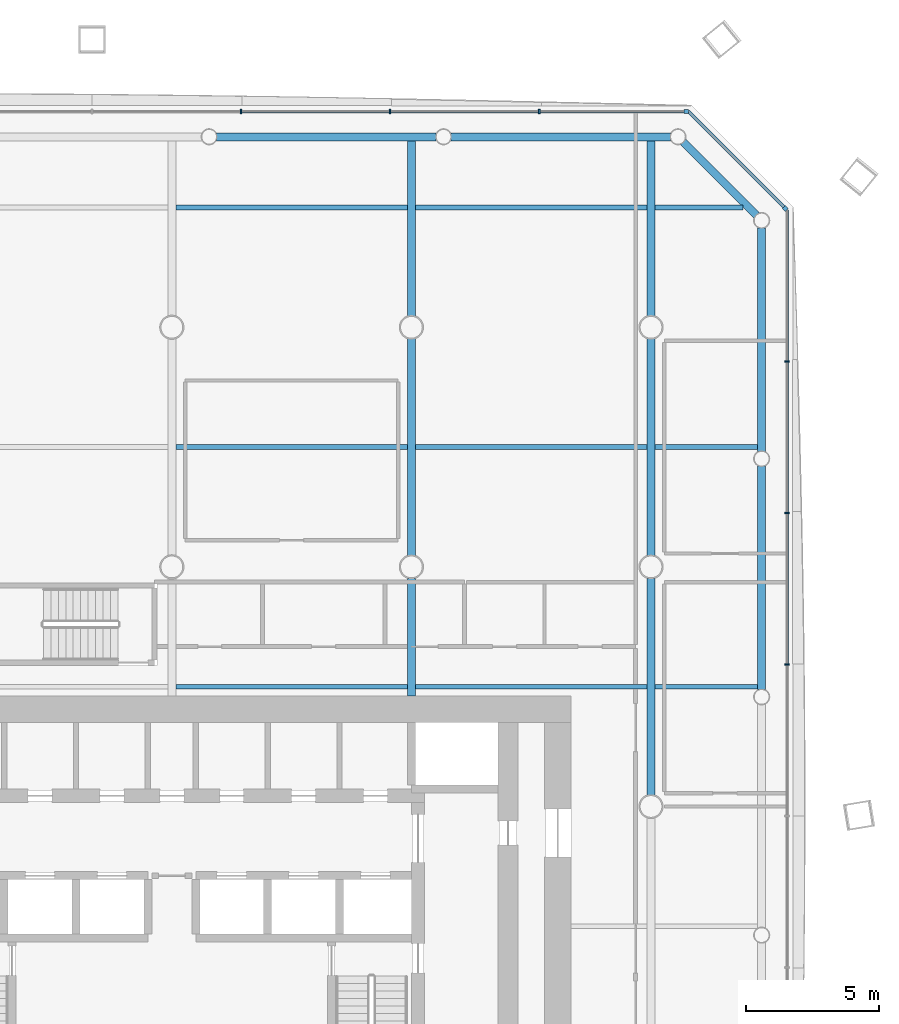
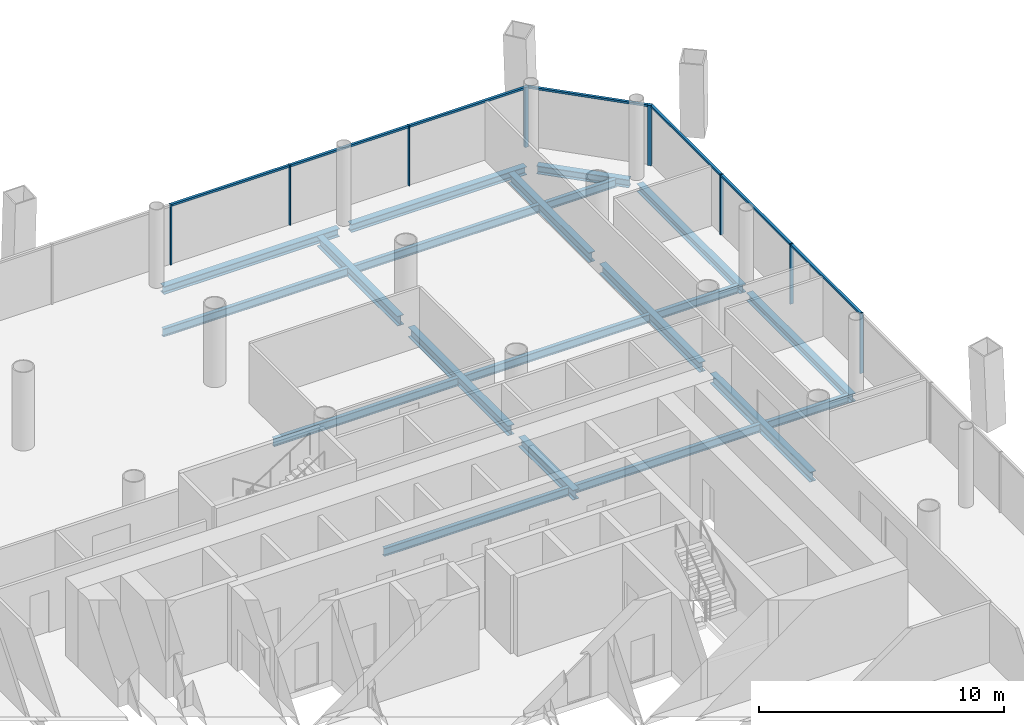
# One storey, part 10 of 20: 20 beams, 15 members, 3 elements without a shape of their own.
"""IFC4 building model written with IfcOpenShell, lengths in metres."""

from ifc_helpers import new_model, si_unit, direction, frame, origin, origin_2d, place, context, subcontext, project, spatial, rectangle, i_section, extrude, material, material_profile, profile_set, type_object, element, aggregate, save


model = new_model("IFC4")

# Units and contexts
model_context = context("Model", 3, precision=1e-05, world=origin(), true_north=direction((0.0, 1.0)))
body_context = subcontext(model_context, "Body", "Model", "MODEL_VIEW")
ifc_project = project(units=[si_unit("LENGTHUNIT", "METRE"), si_unit("AREAUNIT", "SQUARE_METRE"), si_unit("VOLUMEUNIT", "CUBIC_METRE"), si_unit("PLANEANGLEUNIT", "RADIAN"), si_unit("MASSUNIT", "GRAM", prefix="KILO")], contexts=[model_context])

# Site, building, storey
site_placement = place(None, origin())
site = spatial("IfcSite", under=ifc_project, at=site_placement, CompositionType="ELEMENT")
building_placement = place(site_placement, origin())
building = spatial("IfcBuilding", under=site, at=building_placement, Name="Tskaro Facet Tower", CompositionType="ELEMENT")
storey_placement = place(building_placement, frame((0.0, 0.0, 53.699951171875)))
storey = spatial("IfcBuildingStorey", under=building, at=storey_placement, Name="L12", CompositionType="ELEMENT", Elevation=53.699951171875)

# Curtain wall, member
ifc_material_1 = material(Name="Bronze anodised aluminium 6063-T6", Category="aluminium")
curtain_wall_type = type_object("IfcCurtainWallType", Name="Bronze office curtain wall (FW1)", PredefinedType="NOTDEFINED", material=ifc_material_1)
curtain_wall_1_placement = place(storey_placement, origin())
curtain_wall_1 = element("IfcCurtainWall", 1, at=curtain_wall_1_placement, inside=storey, type_object=curtain_wall_type, Name="FW1 north-east facet L12", PredefinedType="NOTDEFINED")
ifc_material_profile_1 = material_profile(ifc_material_1, rectangle(XDim=0.159912109375, YDim=0.159912109375, at=origin_2d()), Name="Corner post 160x160")
ifc_profile_set_1 = profile_set([ifc_material_profile_1], Name="Bronze anodised aluminium 6063-T6")
member_type_1 = type_object("IfcMemberType", Name="FW1 bronze corner post 160x160", PredefinedType="MULLION", material=ifc_profile_set_1)
member_1_placement = place(storey_placement, frame((23.050537109375, 22.461669921875, 0.0), z_axis=(0.0, 0.0, 1.0), x_axis=(-0.707106781187, 0.707106781187, 0.0)))
member_1 = element("IfcMember", 2, at=member_1_placement, type_object=member_type_1, Name="FW1 north-east corner post", PredefinedType="MULLION", context=body_context, shape_type="SweptSolid", body=[
    extrude(rectangle(XDim=0.159912109375, YDim=0.159912109375, at=origin_2d()), origin(), (0.0, 0.0, 1.0), 2.989990234375),
])

curtain_wall_2_placement = place(storey_placement, origin())
curtain_wall_2 = element("IfcCurtainWall", 3, at=curtain_wall_2_placement, inside=storey, type_object=curtain_wall_type, Name="FW1 north facet L12", PredefinedType="NOTDEFINED")
member_2_placement = place(storey_placement, frame((19.324951171875, 26.10693359375, 0.0), z_axis=(0.0, 0.0, 1.0), x_axis=(-1.0, 0.0, 0.0)))
member_2 = element("IfcMember", 4, at=member_2_placement, type_object=member_type_1, Name="FW1 north corner post", PredefinedType="MULLION", context=body_context, shape_type="SweptSolid", body=[
    extrude(rectangle(XDim=0.159912109375, YDim=0.159912109375, at=origin_2d()), origin(), (0.0, 0.0, 1.0), 2.989990234375),
])

# Curtain wall, members
curtain_wall_3_placement = place(storey_placement, origin())
curtain_wall_3 = element("IfcCurtainWall", 5, at=curtain_wall_3_placement, inside=storey, type_object=curtain_wall_type, Name="FW1 east facet L12", PredefinedType="NOTDEFINED")
ifc_material_profile_2 = material_profile(ifc_material_1, rectangle(XDim=0.06005859375, YDim=0.159912109375, at=origin_2d()), Name="Mullion 60x160")
ifc_profile_set_2 = profile_set([ifc_material_profile_2], Name="Bronze anodised aluminium 6063-T6")
member_type_2 = type_object("IfcMemberType", Name="FW1 bronze mullion 60x160", PredefinedType="MULLION", material=ifc_profile_set_2)
member_3_placement = place(storey_placement, frame((23.10693359375, 5.332275390625, 0.0), z_axis=(0.0, 0.0, 1.0), x_axis=(0.0, 1.0, 0.0)))
member_3 = element("IfcMember", 6, at=member_3_placement, type_object=member_type_2, Name="FW1 east mullion 5", PredefinedType="MULLION", context=body_context, shape_type="SweptSolid", body=[
    extrude(rectangle(XDim=0.06005859375, YDim=0.159912109375, at=origin_2d()), origin(), (0.0, 0.0, 1.0), 2.989990234375),
])
member_4_placement = place(storey_placement, frame((23.10693359375, 11.023193359375, 0.0), z_axis=(0.0, 0.0, 1.0), x_axis=(0.0, 1.0, 0.0)))
member_4 = element("IfcMember", 7, at=member_4_placement, type_object=member_type_2, Name="FW1 east mullion 6", PredefinedType="MULLION", context=body_context, shape_type="SweptSolid", body=[
    extrude(rectangle(XDim=0.06005859375, YDim=0.159912109375, at=origin_2d()), origin(), (0.0, 0.0, 1.0), 2.989990234375),
])
member_5_placement = place(storey_placement, frame((23.10693359375, 16.714111328125, 0.0), z_axis=(0.0, 0.0, 1.0), x_axis=(0.0, 1.0, 0.0)))
member_5 = element("IfcMember", 8, at=member_5_placement, type_object=member_type_2, Name="FW1 east mullion 7", PredefinedType="MULLION", context=body_context, shape_type="SweptSolid", body=[
    extrude(rectangle(XDim=0.06005859375, YDim=0.159912109375, at=origin_2d()), origin(), (0.0, 0.0, 1.0), 2.989990234375),
])

# Member
member_6_placement = place(storey_placement, frame((13.8037109375, 26.10693359375, 0.0), z_axis=(0.0, 0.0, 1.0), x_axis=(-1.0, 0.0, 0.0)))
member_6 = element("IfcMember", 9, at=member_6_placement, type_object=member_type_2, Name="FW1 north mullion 1", PredefinedType="MULLION", context=body_context, shape_type="SweptSolid", body=[
    extrude(rectangle(XDim=0.06005859375, YDim=0.159912109375, at=origin_2d()), origin(), (0.0, 0.0, 1.0), 2.989990234375),
])

member_7_placement = place(storey_placement, frame((8.202392578125, 26.10693359375, 0.0), z_axis=(0.0, 0.0, 1.0), x_axis=(-1.0, 0.0, 0.0)))
member_7 = element("IfcMember", 10, at=member_7_placement, type_object=member_type_2, Name="FW1 north mullion 2", PredefinedType="MULLION", context=body_context, shape_type="SweptSolid", body=[
    extrude(rectangle(XDim=0.06005859375, YDim=0.159912109375, at=origin_2d()), origin(), (0.0, 0.0, 1.0), 2.989990234375),
])

member_8_placement = place(storey_placement, frame((2.601318359375, 26.10693359375, 0.0), z_axis=(0.0, 0.0, 1.0), x_axis=(-1.0, 0.0, 0.0)))
member_8 = element("IfcMember", 11, at=member_8_placement, type_object=member_type_2, Name="FW1 north mullion 3", PredefinedType="MULLION", context=body_context, shape_type="SweptSolid", body=[
    extrude(rectangle(XDim=0.06005859375, YDim=0.159912109375, at=origin_2d()), origin(), (0.0, 0.0, 1.0), 2.989990234375),
])

ifc_material_profile_3 = material_profile(ifc_material_1, rectangle(XDim=0.1201171875, YDim=0.10009765625, at=origin_2d()), Name="Transom 120x100")
ifc_profile_set_3 = profile_set([ifc_material_profile_3], Name="Bronze anodised aluminium 6063-T6")
member_type_3 = type_object("IfcMemberType", Name="FW1 bronze transom 120x100", PredefinedType="USERDEFINED", material=ifc_profile_set_3)
member_9_placement = place(storey_placement, frame((23.10693359375, 5.3623046875, 2.93994140625), z_axis=(0.0, 1.0, 0.0), x_axis=(-1.0, 0.0, 0.0)))
member_9 = element("IfcMember", 12, at=member_9_placement, type_object=member_type_3, Name="FW1 east transom 6.1", ObjectType="TRANSOM", PredefinedType="USERDEFINED", context=body_context, shape_type="SweptSolid", body=[
    extrude(rectangle(XDim=0.1201171875, YDim=0.10009765625, at=origin_2d()), origin(), (0.0, 0.0, 1.0), 5.630859375),
])

member_10_placement = place(storey_placement, frame((23.10693359375, 11.05322265625, 2.93994140625), z_axis=(0.0, 1.0, 0.0), x_axis=(-1.0, 0.0, 0.0)))
member_10 = element("IfcMember", 13, at=member_10_placement, type_object=member_type_3, Name="FW1 east transom 7.1", ObjectType="TRANSOM", PredefinedType="USERDEFINED", context=body_context, shape_type="SweptSolid", body=[
    extrude(rectangle(XDim=0.1201171875, YDim=0.10009765625, at=origin_2d()), origin(), (0.0, 0.0, 1.0), 5.630859375),
])

member_11_placement = place(storey_placement, frame((23.10693359375, 16.744140625, 2.93994140625), z_axis=(0.0, 1.0, 0.0), x_axis=(-1.0, 0.0, 0.0)))
member_11 = element("IfcMember", 14, at=member_11_placement, type_object=member_type_3, Name="FW1 east transom 8.1", ObjectType="TRANSOM", PredefinedType="USERDEFINED", context=body_context, shape_type="SweptSolid", body=[
    extrude(rectangle(XDim=0.1201171875, YDim=0.10009765625, at=origin_2d()), origin(), (0.0, 0.0, 1.0), 5.660888671875),
])

aggregate(curtain_wall_3, [member_3, member_4, member_5, member_9, member_10, member_11])

member_12_placement = place(storey_placement, frame((22.993896484375, 22.51806640625, 2.93994140625), z_axis=(-0.707106781187, 0.707106781187, 0.0), x_axis=(-0.707106781187, -0.707106781187, 0.0)))
member_12 = element("IfcMember", 15, at=member_12_placement, type_object=member_type_3, Name="FW1 north-east transom 1.1", ObjectType="TRANSOM", PredefinedType="USERDEFINED", context=body_context, shape_type="SweptSolid", body=[
    extrude(rectangle(XDim=0.1201171875, YDim=0.10009765625, at=origin_2d()), origin(), (0.0, 0.0, 1.0), 5.075439453125),
])

aggregate(curtain_wall_1, [member_1, member_12])

member_13_placement = place(storey_placement, frame((19.2451171875, 26.10693359375, 2.93994140625), z_axis=(-1.0, 0.0, 0.0), x_axis=(0.0, -1.0, 0.0)))
member_13 = element("IfcMember", 16, at=member_13_placement, type_object=member_type_3, Name="FW1 north transom 1.1", ObjectType="TRANSOM", PredefinedType="USERDEFINED", context=body_context, shape_type="SweptSolid", body=[
    extrude(rectangle(XDim=0.1201171875, YDim=0.10009765625, at=origin_2d()), origin(), (0.0, 0.0, 1.0), 5.411376953125),
])

member_14_placement = place(storey_placement, frame((13.773681640625, 26.10693359375, 2.93994140625), z_axis=(-1.0, 0.0, 0.0), x_axis=(0.0, -1.0, 0.0)))
member_14 = element("IfcMember", 17, at=member_14_placement, type_object=member_type_3, Name="FW1 north transom 2.1", ObjectType="TRANSOM", PredefinedType="USERDEFINED", context=body_context, shape_type="SweptSolid", body=[
    extrude(rectangle(XDim=0.1201171875, YDim=0.10009765625, at=origin_2d()), origin(), (0.0, 0.0, 1.0), 5.541259765625),
])

member_15_placement = place(storey_placement, frame((8.172607421875, 26.10693359375, 2.93994140625), z_axis=(-1.0, 0.0, 0.0), x_axis=(0.0, -1.0, 0.0)))
member_15 = element("IfcMember", 18, at=member_15_placement, type_object=member_type_3, Name="FW1 north transom 3.1", ObjectType="TRANSOM", PredefinedType="USERDEFINED", context=body_context, shape_type="SweptSolid", body=[
    extrude(rectangle(XDim=0.1201171875, YDim=0.10009765625, at=origin_2d()), origin(), (0.0, 0.0, 1.0), 5.541259765625),
])

aggregate(curtain_wall_2, [member_2, member_6, member_7, member_8, member_13, member_14, member_15])

# Beams
ifc_material_2 = material(Name="Steel S355J2", Category="steel")
ifc_material_profile_4 = material_profile(ifc_material_2, i_section(OverallWidth=0.300048828125, OverallDepth=0.39990234375, WebThickness=0.013427734375, FlangeThickness=0.02392578125, FilletRadius=0.027099609375, at=origin_2d()), Name="HE 400 B")
ifc_profile_set_4 = profile_set([ifc_material_profile_4], Name="Steel S355J2")
beam_type_1 = type_object("IfcBeamType", Name="HE 400 B ring beam", PredefinedType="BEAM", material=ifc_profile_set_4)
for number, where, z_axis, x_axis, name in (
    (19, (22.156982421875, 4.39111328125, -0.33984375), (0.0, 1.0, 0.0), (-1.0, 0.0, 0.0), "HE 400 B EB11-1"),
    (20, (22.156982421875, 13.339111328125, -0.33984375), (0.0, 1.0, 0.0), (-1.0, 0.0, 0.0), "HE 400 B EB12-1"),
):
    element("IfcBeam", number, at=place(storey_placement, frame(where, z_axis=z_axis, x_axis=x_axis)), inside=storey, type_object=beam_type_1, Name=name, PredefinedType="BEAM", context=body_context, shape_type="SweptSolid", body=[
        extrude(i_section(OverallWidth=0.300048828125, OverallDepth=0.39990234375, WebThickness=0.013427734375, FlangeThickness=0.02392578125, FilletRadius=0.027099609375, at=origin_2d()), origin(), (0.0, 0.0, 1.0), 8.39794921875),
    ])
beam_1_placement = place(storey_placement, frame((21.962646484375, 22.20654296875, -0.33984375), z_axis=(-0.707106781187, 0.707106781187, 0.0), x_axis=(-0.707106781187, -0.707106781187, 0.0)))
element("IfcBeam", 21, at=beam_1_placement, inside=storey, type_object=beam_type_1, Name="HE 400 B EB13-1", PredefinedType="BEAM", context=body_context, shape_type="SweptSolid", body=[
    extrude(i_section(OverallWidth=0.300048828125, OverallDepth=0.39990234375, WebThickness=0.013427734375, FlangeThickness=0.02392578125, FilletRadius=0.027099609375, at=origin_2d()), origin(), (0.0, 0.0, 1.0), 3.897705078125),
])
beam_2_placement = place(storey_placement, frame((18.737060546875, 25.156982421875, -0.33984375), z_axis=(-1.0, 0.0, 0.0), x_axis=(0.0, -1.0, 0.0)))
element("IfcBeam", 22, at=beam_2_placement, inside=storey, type_object=beam_type_1, Name="HE 400 B EB14-1", PredefinedType="BEAM", context=body_context, shape_type="SweptSolid", body=[
    extrude(i_section(OverallWidth=0.300048828125, OverallDepth=0.39990234375, WebThickness=0.013427734375, FlangeThickness=0.02392578125, FilletRadius=0.027099609375, at=origin_2d()), origin(), (0.0, 0.0, 1.0), 8.255126953125),
])
beam_3_placement = place(storey_placement, frame((9.931884765625, 25.156982421875, -0.33984375), z_axis=(-1.0, 0.0, 0.0), x_axis=(0.0, -1.0, 0.0)))
element("IfcBeam", 23, at=beam_3_placement, inside=storey, type_object=beam_type_1, Name="HE 400 B EB15-1", PredefinedType="BEAM", context=body_context, shape_type="SweptSolid", body=[
    extrude(i_section(OverallWidth=0.300048828125, OverallDepth=0.39990234375, WebThickness=0.013427734375, FlangeThickness=0.02392578125, FilletRadius=0.027099609375, at=origin_2d()), origin(), (0.0, 0.0, 1.0), 8.2548828125),
])
ifc_material_profile_5 = material_profile(ifc_material_2, i_section(OverallWidth=0.300048828125, OverallDepth=0.489990234375, WebThickness=0.011962890625, FlangeThickness=0.02294921875, FilletRadius=0.027099609375, at=origin_2d()), Name="HE 500 A")
ifc_profile_set_5 = profile_set([ifc_material_profile_5], Name="Steel S355J2")
beam_type_2 = type_object("IfcBeamType", Name="HE 500 A girder", PredefinedType="BEAM", material=ifc_profile_set_5)
beam_4_placement = place(storey_placement, frame((9.0, 4.14990234375, -0.385009765625), z_axis=(0.0, 1.0, 0.0), x_axis=(-1.0, 0.0, 0.0)))
element("IfcBeam", 24, at=beam_4_placement, inside=storey, type_object=beam_type_2, Name="HE 500 A GB5-3-1", PredefinedType="BEAM", context=body_context, shape_type="SweptSolid", body=[
    extrude(i_section(OverallWidth=0.300048828125, OverallDepth=0.489990234375, WebThickness=0.011962890625, FlangeThickness=0.02294921875, FilletRadius=0.027099609375, at=origin_2d()), origin(), (0.0, 0.0, 1.0), 4.4228515625),
])
beam_5_placement = place(storey_placement, frame((9.0, 9.42724609375, -0.385009765625), z_axis=(0.0, 1.0, 0.0), x_axis=(-1.0, 0.0, 0.0)))
element("IfcBeam", 25, at=beam_5_placement, inside=storey, type_object=beam_type_2, Name="HE 500 A GB5-4-1", PredefinedType="BEAM", context=body_context, shape_type="SweptSolid", body=[
    extrude(i_section(OverallWidth=0.300048828125, OverallDepth=0.489990234375, WebThickness=0.011962890625, FlangeThickness=0.02294921875, FilletRadius=0.027099609375, at=origin_2d()), origin(), (0.0, 0.0, 1.0), 8.1455078125),
])
beam_6_placement = place(storey_placement, frame((9.0, 18.42724609375, -0.385009765625), z_axis=(0.0, 1.0, 0.0), x_axis=(-1.0, 0.0, 0.0)))
element("IfcBeam", 26, at=beam_6_placement, inside=storey, type_object=beam_type_2, Name="HE 500 A GB5-5-1", PredefinedType="BEAM", context=body_context, shape_type="SweptSolid", body=[
    extrude(i_section(OverallWidth=0.300048828125, OverallDepth=0.489990234375, WebThickness=0.011962890625, FlangeThickness=0.02294921875, FilletRadius=0.027099609375, at=origin_2d()), origin(), (0.0, 0.0, 1.0), 6.579833984375),
])
for number, where, z_axis, x_axis, name in (
    (27, (18.0, 0.42724609375, -0.385009765625), (0.0, 1.0, 0.0), (-1.0, 0.0, 0.0), "HE 500 A GB6-4-1"),
    (28, (18.0, 9.42724609375, -0.385009765625), (0.0, 1.0, 0.0), (-1.0, 0.0, 0.0), "HE 500 A GB6-5-1"),
):
    element("IfcBeam", number, at=place(storey_placement, frame(where, z_axis=z_axis, x_axis=x_axis)), inside=storey, type_object=beam_type_2, Name=name, PredefinedType="BEAM", context=body_context, shape_type="SweptSolid", body=[
        extrude(i_section(OverallWidth=0.300048828125, OverallDepth=0.489990234375, WebThickness=0.011962890625, FlangeThickness=0.02294921875, FilletRadius=0.027099609375, at=origin_2d()), origin(), (0.0, 0.0, 1.0), 8.1455078125),
    ])
beam_7_placement = place(storey_placement, frame((18.0, 18.42724609375, -0.385009765625), z_axis=(0.0, 1.0, 0.0), x_axis=(-1.0, 0.0, 0.0)))
element("IfcBeam", 29, at=beam_7_placement, inside=storey, type_object=beam_type_2, Name="HE 500 A GB6-6-1", PredefinedType="BEAM", context=body_context, shape_type="SweptSolid", body=[
    extrude(i_section(OverallWidth=0.300048828125, OverallDepth=0.489990234375, WebThickness=0.011962890625, FlangeThickness=0.02294921875, FilletRadius=0.027099609375, at=origin_2d()), origin(), (0.0, 0.0, 1.0), 6.579833984375),
])
ifc_material_profile_6 = material_profile(ifc_material_2, i_section(OverallWidth=0.179931640625, OverallDepth=0.39990234375, WebThickness=0.008544921875, FlangeThickness=0.013427734375, FilletRadius=0.02099609375, at=origin_2d()), Name="IPE 400")
ifc_profile_set_6 = profile_set([ifc_material_profile_6], Name="Steel S355J2")
beam_type_3 = type_object("IfcBeamType", Name="IPE 400 secondary beam", PredefinedType="BEAM", material=ifc_profile_set_6)
for number, where, z_axis, x_axis, name in (
    (30, (0.14990234375, 4.5, -0.33984375), (1.0, 0.0, 0.0), (0.0, 1.0, 0.0), "IPE 400 SB4a-4-1"),
    (31, (9.14990234375, 4.5, -0.33984375), (1.0, 0.0, 0.0), (0.0, 1.0, 0.0), "IPE 400 SB4a-5-1"),
):
    element("IfcBeam", number, at=place(storey_placement, frame(where, z_axis=z_axis, x_axis=x_axis)), inside=storey, type_object=beam_type_3, Name=name, PredefinedType="BEAM", context=body_context, shape_type="SweptSolid", body=[
        extrude(i_section(OverallWidth=0.179931640625, OverallDepth=0.39990234375, WebThickness=0.008544921875, FlangeThickness=0.013427734375, FilletRadius=0.02099609375, at=origin_2d()), origin(), (0.0, 0.0, 1.0), 8.7001953125),
    ])
beam_8_placement = place(storey_placement, frame((18.14990234375, 4.5, -0.33984375), z_axis=(1.0, 0.0, 0.0), x_axis=(0.0, 1.0, 0.0)))
element("IfcBeam", 32, at=beam_8_placement, inside=storey, type_object=beam_type_3, Name="IPE 400 SB4a-6-1", PredefinedType="BEAM", context=body_context, shape_type="SweptSolid", body=[
    extrude(i_section(OverallWidth=0.179931640625, OverallDepth=0.39990234375, WebThickness=0.008544921875, FlangeThickness=0.013427734375, FilletRadius=0.02099609375, at=origin_2d()), origin(), (0.0, 0.0, 1.0), 3.857177734375),
])
for number, where, z_axis, x_axis, name in (
    (33, (0.14990234375, 13.5, -0.33984375), (1.0, 0.0, 0.0), (0.0, 1.0, 0.0), "IPE 400 SB5a-4-1"),
    (34, (9.14990234375, 13.5, -0.33984375), (1.0, 0.0, 0.0), (0.0, 1.0, 0.0), "IPE 400 SB5a-5-1"),
):
    element("IfcBeam", number, at=place(storey_placement, frame(where, z_axis=z_axis, x_axis=x_axis)), inside=storey, type_object=beam_type_3, Name=name, PredefinedType="BEAM", context=body_context, shape_type="SweptSolid", body=[
        extrude(i_section(OverallWidth=0.179931640625, OverallDepth=0.39990234375, WebThickness=0.008544921875, FlangeThickness=0.013427734375, FilletRadius=0.02099609375, at=origin_2d()), origin(), (0.0, 0.0, 1.0), 8.7001953125),
    ])
beam_9_placement = place(storey_placement, frame((18.14990234375, 13.5, -0.33984375), z_axis=(1.0, 0.0, 0.0), x_axis=(0.0, 1.0, 0.0)))
element("IfcBeam", 35, at=beam_9_placement, inside=storey, type_object=beam_type_3, Name="IPE 400 SB5a-6-1", PredefinedType="BEAM", context=body_context, shape_type="SweptSolid", body=[
    extrude(i_section(OverallWidth=0.179931640625, OverallDepth=0.39990234375, WebThickness=0.008544921875, FlangeThickness=0.013427734375, FilletRadius=0.02099609375, at=origin_2d()), origin(), (0.0, 0.0, 1.0), 3.857177734375),
])
for number, where, z_axis, x_axis, name in (
    (36, (0.14990234375, 22.5, -0.33984375), (1.0, 0.0, 0.0), (0.0, 1.0, 0.0), "IPE 400 SB6a-4-1"),
    (37, (9.14990234375, 22.5, -0.33984375), (1.0, 0.0, 0.0), (0.0, 1.0, 0.0), "IPE 400 SB6a-5-1"),
):
    element("IfcBeam", number, at=place(storey_placement, frame(where, z_axis=z_axis, x_axis=x_axis)), inside=storey, type_object=beam_type_3, Name=name, PredefinedType="BEAM", context=body_context, shape_type="SweptSolid", body=[
        extrude(i_section(OverallWidth=0.179931640625, OverallDepth=0.39990234375, WebThickness=0.008544921875, FlangeThickness=0.013427734375, FilletRadius=0.02099609375, at=origin_2d()), origin(), (0.0, 0.0, 1.0), 8.7001953125),
    ])
beam_10_placement = place(storey_placement, frame((18.14990234375, 22.5, -0.33984375), z_axis=(1.0, 0.0, 0.0), x_axis=(0.0, 1.0, 0.0)))
element("IfcBeam", 38, at=beam_10_placement, inside=storey, type_object=beam_type_3, Name="IPE 400 SB6a-6-1", PredefinedType="BEAM", context=body_context, shape_type="SweptSolid", body=[
    extrude(i_section(OverallWidth=0.179931640625, OverallDepth=0.39990234375, WebThickness=0.008544921875, FlangeThickness=0.013427734375, FilletRadius=0.02099609375, at=origin_2d()), origin(), (0.0, 0.0, 1.0), 3.30712890625),
])

save(model, "model.ifc")
